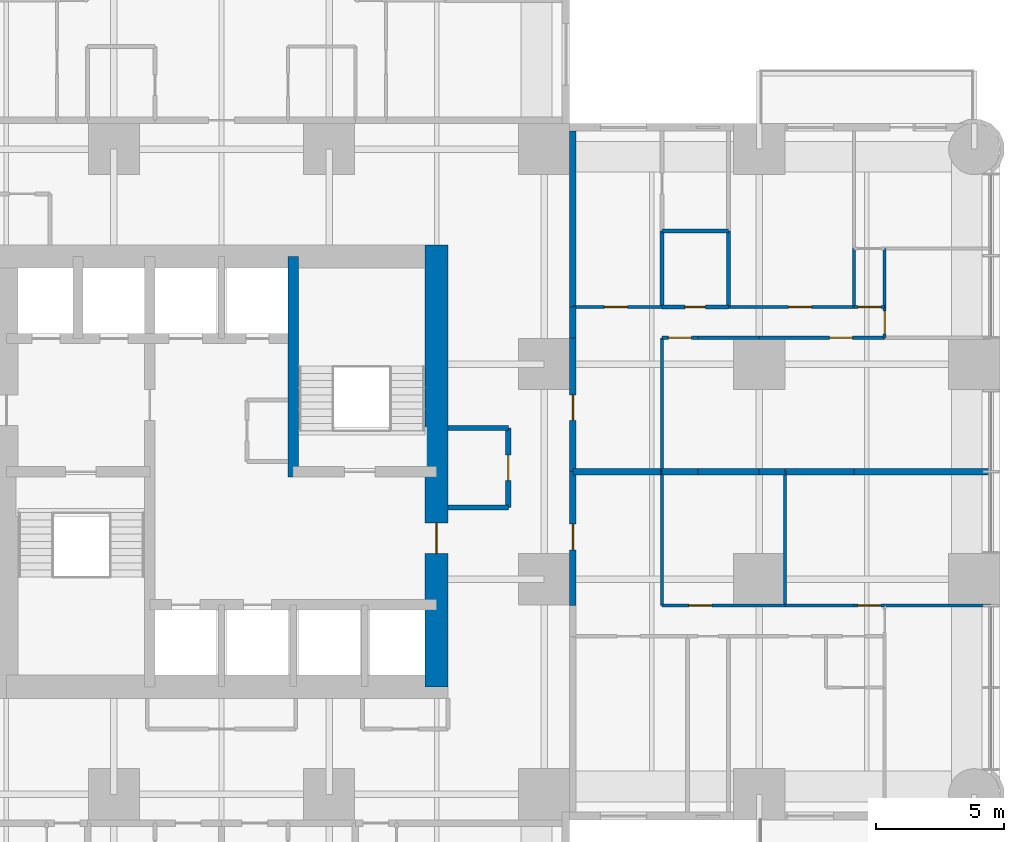
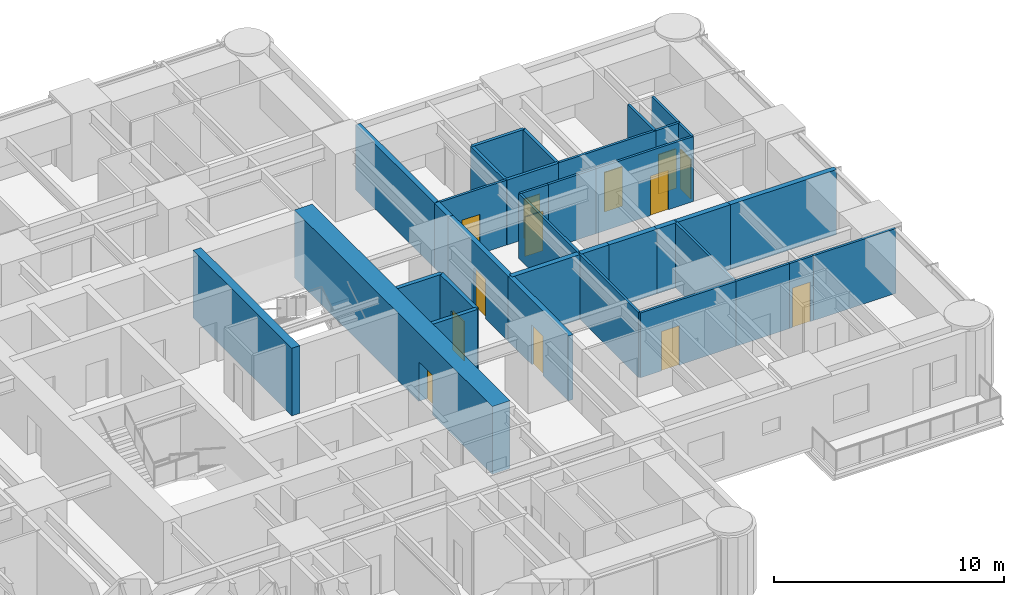
# One storey, part 10 of 14: 35 walls, 13 doors, 13 openings.
"""IFC4 building model written with IfcOpenShell, lengths in metres."""

from ifc_helpers import new_model, si_unit, direction, frame, frame_2d, origin, place, context, subcontext, project, spatial, rectangle, extrude, material, layer, layer_set, type_object, element, fill, save


model = new_model("IFC4")

# Units and contexts
model_context = context("Model", 3, precision=1e-05, world=origin(), true_north=direction((0.0, 1.0)))
body_context = subcontext(model_context, "Body", "Model", "MODEL_VIEW")
ifc_project = project(units=[si_unit("LENGTHUNIT", "METRE"), si_unit("AREAUNIT", "SQUARE_METRE"), si_unit("VOLUMEUNIT", "CUBIC_METRE"), si_unit("PLANEANGLEUNIT", "RADIAN"), si_unit("MASSUNIT", "GRAM", prefix="KILO")], contexts=[model_context])

# Site, building, storey
site_placement = place(None, origin())
site = spatial("IfcSite", under=ifc_project, at=site_placement, CompositionType="ELEMENT")
building_placement = place(site_placement, origin())
building = spatial("IfcBuilding", under=site, at=building_placement, Name="Torre Alcanfor", CompositionType="ELEMENT")
storey_placement = place(building_placement, frame((0.0, 0.0, 112.5)))
storey = spatial("IfcBuildingStorey", under=building, at=storey_placement, Name="L28", CompositionType="ELEMENT", Elevation=112.5)

# Wall, opening, door
ifc_material_1 = material(Name="Concrete block masonry, hollow blocks NMX-C-404 9 MPa", Category="masonry")
ifc_layer_1 = layer(ifc_material_1, 0.25)
ifc_layer_set_1 = layer_set([ifc_layer_1], Name="Apartment entrance wall 250 EI 60")
wall_type_1 = type_object("IfcWallType", Name="Apartment entrance wall 250 EI 60", PredefinedType="PARTITIONING", material=ifc_layer_set_1)
wall_1_placement = place(storey_placement, frame((43.125, 34.62890625, 0.0), z_axis=(0.0, 0.0, 1.0), x_axis=(0.0, -1.0, 0.0)))
wall_1 = element("IfcWall", 1, at=wall_1_placement, inside=storey, type_object=wall_type_1, Name="Partition L28-CORR / L28-E1-ZAG", PredefinedType="PARTITIONING", context=body_context, shape_type="SweptSolid", body=[
    extrude(rectangle(XDim=5.22900390625, YDim=0.25, at=frame_2d((2.614501953125, 0.0))), origin(), (0.0, 0.0, 1.0), 3.449951171875),
])
opening_1_placement = place(wall_1_placement, frame((2.22900390625, 0.0, 0.0)))
opening_1 = element("IfcOpeningElement", 2, at=opening_1_placement, cuts=wall_1, Name="Opening D-A1", PredefinedType="OPENING", context=body_context, shape_type="SweptSolid", body=[
    extrude(rectangle(XDim=1.0, YDim=2.10009765625, at=frame_2d((0.5, 1.050048828125))), frame((0.0, 0.135009765625, 0.0), z_axis=(0.0, -1.0, 0.0), x_axis=(1.0, 0.0, 0.0)), (0.0, 0.0, 1.0), 0.27001953125),
])
ifc_material_2 = material(Name="Galvanised steel sheet ASTM A653", Category="steel")
door_type_1 = type_object("IfcDoorType", Name="Apartment entrance door FD60 1000x2100", OperationType="SINGLE_SWING_LEFT", PredefinedType="DOOR", material=ifc_material_2)
door_1_placement = place(opening_1_placement, origin())
door_1 = element("IfcDoor", 3, at=door_1_placement, inside=storey, type_object=door_type_1, Name="Apartment entrance L28-E1", OperationType="SINGLE_SWING_RIGHT", OverallHeight=2.10009765625, OverallWidth=1.0, PredefinedType="DOOR", context=body_context, shape_type="SweptSolid", body=[
    extrude(rectangle(XDim=1.0, YDim=2.10009765625, at=frame_2d((0.5, 1.050048828125))), frame((0.0, 0.02490234375, 0.0), z_axis=(0.0, -1.0, 0.0), x_axis=(1.0, 0.0, 0.0)), (0.0, 0.0, 1.0), 0.050048828125),
])
fill(opening_1, door_1)

# Walls
wall_2_placement = place(storey_placement, frame((43.125, 35.8291015625, 0.0), z_axis=(0.0, 0.0, 1.0), x_axis=(0.0, -1.0, 0.0)))
element("IfcWall", 4, at=wall_2_placement, inside=storey, type_object=wall_type_1, Name="Partition L28-CORR / L28-E1-HALL", PredefinedType="PARTITIONING", context=body_context, shape_type="SweptSolid", body=[
    extrude(rectangle(XDim=1.2001953125, YDim=0.25, at=frame_2d((0.60009765625, 0.0))), origin(), (0.0, 0.0, 1.0), 3.449951171875),
])
wall_3_placement = place(storey_placement, frame((43.125, 42.699951171875, 0.0), z_axis=(0.0, 0.0, 1.0), x_axis=(0.0, -1.0, 0.0)))
element("IfcWall", 5, at=wall_3_placement, inside=storey, type_object=wall_type_1, Name="Partition L28-CORR / L28-E1-SERV", PredefinedType="PARTITIONING", context=body_context, shape_type="SweptSolid", body=[
    extrude(rectangle(XDim=6.870849609375, YDim=0.25, at=frame_2d((3.435546875, 0.0))), origin(), (0.0, 0.0, 1.0), 3.449951171875),
])

# Wall, opening, door
wall_4_placement = place(storey_placement, frame((43.125, 29.39990234375, 0.0), z_axis=(0.0, 0.0, 1.0), x_axis=(0.0, -1.0, 0.0)))
wall_4 = element("IfcWall", 6, at=wall_4_placement, inside=storey, type_object=wall_type_1, Name="Partition L28-CORR / L28-E2-ZAG", PredefinedType="PARTITIONING", context=body_context, shape_type="SweptSolid", body=[
    extrude(rectangle(XDim=5.22900390625, YDim=0.25, at=frame_2d((2.614501953125, 0.0))), origin(), (0.0, 0.0, 1.0), 3.449951171875),
])
opening_2_placement = place(wall_4_placement, frame((2.050048828125, 0.0, 0.0)))
opening_2 = element("IfcOpeningElement", 7, at=opening_2_placement, cuts=wall_4, Name="Opening D-A1", PredefinedType="OPENING", context=body_context, shape_type="SweptSolid", body=[
    extrude(rectangle(XDim=1.0, YDim=2.10009765625, at=frame_2d((0.5, 1.050048828125))), frame((0.0, 0.135009765625, 0.0), z_axis=(0.0, -1.0, 0.0), x_axis=(1.0, 0.0, 0.0)), (0.0, 0.0, 1.0), 0.27001953125),
])
door_2_placement = place(opening_2_placement, origin())
door_2 = element("IfcDoor", 8, at=door_2_placement, inside=storey, type_object=door_type_1, Name="Apartment entrance L28-E2", OperationType="SINGLE_SWING_LEFT", OverallHeight=2.10009765625, OverallWidth=1.0, PredefinedType="DOOR", context=body_context, shape_type="SweptSolid", body=[
    extrude(rectangle(XDim=1.0, YDim=2.10009765625, at=frame_2d((0.5, 1.050048828125))), frame((0.0, 0.02490234375, 0.0), z_axis=(0.0, -1.0, 0.0), x_axis=(1.0, 0.0, 0.0)), (0.0, 0.0, 1.0), 0.050048828125),
])
fill(opening_2, door_2)

# Wall
ifc_material_3 = material(Name="Gypsum board on steel studs", Category="steel")
ifc_layer_2 = layer(ifc_material_3, 0.1201171875)
ifc_layer_set_2 = layer_set([ifc_layer_2], Name="Apartment partition 120")
wall_type_2 = type_object("IfcWallType", Name="Apartment partition 120", PredefinedType="PARTITIONING", material=ifc_layer_set_2)
wall_5_placement = place(storey_placement, frame((46.60009765625, 29.39990234375, 0.0), z_axis=(0.0, 0.0, 1.0), x_axis=(0.0, 1.0, 0.0)))
element("IfcWall", 9, at=wall_5_placement, inside=storey, type_object=wall_type_2, Name="Partition L28-E1-ZAG / L28-E1-LAUND", PredefinedType="PARTITIONING", context=body_context, shape_type="SweptSolid", body=[
    extrude(rectangle(XDim=5.22900390625, YDim=0.1201171875, at=frame_2d((2.614501953125, 0.0))), origin(), (0.0, 0.0, 1.0), 3.449951171875),
])

# Wall, opening, door
wall_6_placement = place(storey_placement, frame((48.0, 34.62890625, 0.0), z_axis=(0.0, 0.0, 1.0), x_axis=(-1.0, 0.0, 0.0)))
wall_6 = element("IfcWall", 10, at=wall_6_placement, inside=storey, type_object=wall_type_2, Name="Partition L28-E1-LAUND / L28-E1-HALL", PredefinedType="PARTITIONING", context=body_context, shape_type="SweptSolid", body=[
    extrude(rectangle(XDim=1.39990234375, YDim=0.1201171875, at=frame_2d((0.699951171875, 0.0))), origin(), (0.0, 0.0, 1.0), 3.449951171875),
])
opening_3_placement = place(wall_6_placement, frame((0.25, 0.0, 0.0)))
opening_3 = element("IfcOpeningElement", 11, at=opening_3_placement, cuts=wall_6, Name="Opening D-R1", PredefinedType="OPENING", context=body_context, shape_type="SweptSolid", body=[
    extrude(rectangle(XDim=0.89990234375, YDim=2.10009765625, at=frame_2d((0.449951171875, 1.050048828125))), frame((0.0, 0.070068359375, 0.0), z_axis=(0.0, -1.0, 0.0), x_axis=(1.0, 0.0, 0.0)), (0.0, 0.0, 1.0), 0.14013671875),
])
ifc_material_4 = material(Name="Timber", Category="wood")
door_type_2 = type_object("IfcDoorType", Name="Internal door 900x2100", OperationType="SINGLE_SWING_LEFT", PredefinedType="DOOR", material=ifc_material_4)
door_3_placement = place(opening_3_placement, origin())
door_3 = element("IfcDoor", 12, at=door_3_placement, inside=storey, type_object=door_type_2, Name="Door L28-E1 laund", OperationType="SINGLE_SWING_LEFT", OverallHeight=2.10009765625, OverallWidth=0.89990234375, PredefinedType="DOOR", context=body_context, shape_type="SweptSolid", body=[
    extrude(rectangle(XDim=0.89990234375, YDim=2.10009765625, at=frame_2d((0.449951171875, 1.050048828125))), frame((0.0, 0.02490234375, 0.0), z_axis=(0.0, -1.0, 0.0), x_axis=(1.0, 0.0, 0.0)), (0.0, 0.0, 1.0), 0.050048828125),
])
fill(opening_3, door_3)

# Wall
wall_7_placement = place(storey_placement, frame((50.39990234375, 34.62890625, 0.0), z_axis=(0.0, 0.0, 1.0), x_axis=(-1.0, 0.0, 0.0)))
element("IfcWall", 13, at=wall_7_placement, inside=storey, type_object=wall_type_2, Name="Partition L28-E1-KITCHEN / L28-E1-HALL", PredefinedType="PARTITIONING", context=body_context, shape_type="SweptSolid", body=[
    extrude(rectangle(XDim=2.39990234375, YDim=0.1201171875, at=frame_2d((1.199951171875, 0.0))), origin(), (0.0, 0.0, 1.0), 3.449951171875),
])

# Wall, opening, door
wall_8_placement = place(storey_placement, frame((55.300048828125, 34.62890625, 0.0), z_axis=(0.0, 0.0, 1.0), x_axis=(-1.0, 0.0, 0.0)))
wall_8 = element("IfcWall", 14, at=wall_8_placement, inside=storey, type_object=wall_type_2, Name="Partition L28-E1-LIVING / L28-E1-HALL", PredefinedType="PARTITIONING", context=body_context, shape_type="SweptSolid", body=[
    extrude(rectangle(XDim=4.900146484375, YDim=0.1201171875, at=frame_2d((2.4501953125, 0.0))), origin(), (0.0, 0.0, 1.0), 3.449951171875),
])
opening_4_placement = place(wall_8_placement, frame((1.25, 0.0, 0.0)))
opening_4 = element("IfcOpeningElement", 15, at=opening_4_placement, cuts=wall_8, Name="Opening D-R1", PredefinedType="OPENING", context=body_context, shape_type="SweptSolid", body=[
    extrude(rectangle(XDim=0.89990234375, YDim=2.10009765625, at=frame_2d((0.449951171875, 1.050048828125))), frame((0.0, 0.070068359375, 0.0), z_axis=(0.0, -1.0, 0.0), x_axis=(1.0, 0.0, 0.0)), (0.0, 0.0, 1.0), 0.14013671875),
])
door_4_placement = place(opening_4_placement, origin())
door_4 = element("IfcDoor", 16, at=door_4_placement, inside=storey, type_object=door_type_2, Name="Door L28-E1 living", OperationType="SINGLE_SWING_RIGHT", OverallHeight=2.10009765625, OverallWidth=0.89990234375, PredefinedType="DOOR", context=body_context, shape_type="SweptSolid", body=[
    extrude(rectangle(XDim=0.89990234375, YDim=2.10009765625, at=frame_2d((0.449951171875, 1.050048828125))), frame((0.0, 0.02490234375, 0.0), z_axis=(0.0, -1.0, 0.0), x_axis=(1.0, 0.0, 0.0)), (0.0, 0.0, 1.0), 0.050048828125),
])
fill(opening_4, door_4)

wall_9_placement = place(storey_placement, frame((46.60009765625, 35.8291015625, 0.0), z_axis=(0.0, 0.0, 1.0), x_axis=(-1.0, 0.0, 0.0)))
wall_9 = element("IfcWall", 17, at=wall_9_placement, inside=storey, type_object=wall_type_2, Name="Partition L28-E1-HALL / L28-E1-SERV", PredefinedType="PARTITIONING", context=body_context, shape_type="SweptSolid", body=[
    extrude(rectangle(XDim=3.47509765625, YDim=0.1201171875, at=frame_2d((1.737548828125, 0.0))), origin(), (0.0, 0.0, 1.0), 3.449951171875),
])
opening_5_placement = place(wall_9_placement, frame((1.35009765625, 0.0, 0.0)))
opening_5 = element("IfcOpeningElement", 18, at=opening_5_placement, cuts=wall_9, Name="Opening D-R1", PredefinedType="OPENING", context=body_context, shape_type="SweptSolid", body=[
    extrude(rectangle(XDim=0.89990234375, YDim=2.10009765625, at=frame_2d((0.449951171875, 1.050048828125))), frame((0.0, 0.070068359375, 0.0), z_axis=(0.0, -1.0, 0.0), x_axis=(1.0, 0.0, 0.0)), (0.0, 0.0, 1.0), 0.14013671875),
])
door_5_placement = place(opening_5_placement, frame((0.89990234375, 0.0, 0.0), z_axis=(0.0, 0.0, 1.0), x_axis=(-1.0, 0.0, 0.0)))
door_5 = element("IfcDoor", 19, at=door_5_placement, inside=storey, type_object=door_type_2, Name="Door L28-E1 serv", OperationType="SINGLE_SWING_LEFT", OverallHeight=2.10009765625, OverallWidth=0.89990234375, PredefinedType="DOOR", context=body_context, shape_type="SweptSolid", body=[
    extrude(rectangle(XDim=0.89990234375, YDim=2.10009765625, at=frame_2d((0.449951171875, 1.050048828125))), frame((0.0, 0.025146484375, 0.0), z_axis=(0.0, -1.0, 0.0), x_axis=(1.0, 0.0, 0.0)), (0.0, 0.0, 1.0), 0.050048828125),
])
fill(opening_5, door_5)

wall_10_placement = place(storey_placement, frame((54.10009765625, 35.8291015625, 0.0), z_axis=(0.0, 0.0, 1.0), x_axis=(-1.0, 0.0, 0.0)))
wall_10 = element("IfcWall", 20, at=wall_10_placement, inside=storey, type_object=wall_type_2, Name="Partition L28-E1-HALL / L28-E1-BED3", PredefinedType="PARTITIONING", context=body_context, shape_type="SweptSolid", body=[
    extrude(rectangle(XDim=4.900146484375, YDim=0.1201171875, at=frame_2d((2.4501953125, 0.0))), origin(), (0.0, 0.0, 1.0), 3.449951171875),
])
opening_6_placement = place(wall_10_placement, frame((1.64990234375, 0.0, 0.0)))
opening_6 = element("IfcOpeningElement", 21, at=opening_6_placement, cuts=wall_10, Name="Opening D-R1", PredefinedType="OPENING", context=body_context, shape_type="SweptSolid", body=[
    extrude(rectangle(XDim=0.89990234375, YDim=2.10009765625, at=frame_2d((0.449951171875, 1.050048828125))), frame((0.0, 0.070068359375, 0.0), z_axis=(0.0, -1.0, 0.0), x_axis=(1.0, 0.0, 0.0)), (0.0, 0.0, 1.0), 0.14013671875),
])
door_6_placement = place(opening_6_placement, frame((0.89990234375, 0.0, 0.0), z_axis=(0.0, 0.0, 1.0), x_axis=(-1.0, 0.0, 0.0)))
door_6 = element("IfcDoor", 22, at=door_6_placement, inside=storey, type_object=door_type_2, Name="Door L28-E1 bed3", OperationType="SINGLE_SWING_RIGHT", OverallHeight=2.10009765625, OverallWidth=0.89990234375, PredefinedType="DOOR", context=body_context, shape_type="SweptSolid", body=[
    extrude(rectangle(XDim=0.89990234375, YDim=2.10009765625, at=frame_2d((0.449951171875, 1.050048828125))), frame((0.0, 0.025146484375, 0.0), z_axis=(0.0, -1.0, 0.0), x_axis=(1.0, 0.0, 0.0)), (0.0, 0.0, 1.0), 0.050048828125),
])
fill(opening_6, door_6)

wall_11_placement = place(storey_placement, frame((55.300048828125, 35.8291015625, 0.0), z_axis=(0.0, 0.0, 1.0), x_axis=(-1.0, 0.0, 0.0)))
wall_11 = element("IfcWall", 23, at=wall_11_placement, inside=storey, type_object=wall_type_2, Name="Partition L28-E1-HALL / L28-E1-VEST", PredefinedType="PARTITIONING", context=body_context, shape_type="SweptSolid", body=[
    extrude(rectangle(XDim=1.199951171875, YDim=0.1201171875, at=frame_2d((0.60009765625, 0.0))), origin(), (0.0, 0.0, 1.0), 3.449951171875),
])
opening_7_placement = place(wall_11_placement, frame((0.14990234375, 0.0, 0.0)))
opening_7 = element("IfcOpeningElement", 24, at=opening_7_placement, cuts=wall_11, Name="Opening D-R1", PredefinedType="OPENING", context=body_context, shape_type="SweptSolid", body=[
    extrude(rectangle(XDim=0.89990234375, YDim=2.10009765625, at=frame_2d((0.449951171875, 1.050048828125))), frame((0.0, 0.070068359375, 0.0), z_axis=(0.0, -1.0, 0.0), x_axis=(1.0, 0.0, 0.0)), (0.0, 0.0, 1.0), 0.14013671875),
])
door_7_placement = place(opening_7_placement, frame((0.89990234375, 0.0, 0.0), z_axis=(0.0, 0.0, 1.0), x_axis=(-1.0, 0.0, 0.0)))
door_7 = element("IfcDoor", 25, at=door_7_placement, inside=storey, type_object=door_type_2, Name="Door L28-E1 vest", OperationType="SINGLE_SWING_RIGHT", OverallHeight=2.10009765625, OverallWidth=0.89990234375, PredefinedType="DOOR", context=body_context, shape_type="SweptSolid", body=[
    extrude(rectangle(XDim=0.89990234375, YDim=2.10009765625, at=frame_2d((0.449951171875, 1.050048828125))), frame((0.0, 0.025146484375, 0.0), z_axis=(0.0, -1.0, 0.0), x_axis=(1.0, 0.0, 0.0)), (0.0, 0.0, 1.0), 0.050048828125),
])
fill(opening_7, door_7)

wall_12_placement = place(storey_placement, frame((55.300048828125, 34.62890625, 0.0), z_axis=(0.0, 0.0, 1.0), x_axis=(0.0, 1.0, 0.0)))
wall_12 = element("IfcWall", 26, at=wall_12_placement, inside=storey, type_object=wall_type_2, Name="Partition L28-E1-HALL / L28-E1-BED2", PredefinedType="PARTITIONING", context=body_context, shape_type="SweptSolid", body=[
    extrude(rectangle(XDim=1.2001953125, YDim=0.1201171875, at=frame_2d((0.60009765625, 0.0))), origin(), (0.0, 0.0, 1.0), 3.449951171875),
])
opening_8_placement = place(wall_12_placement, frame((0.15087890625, 0.0, 0.0)))
opening_8 = element("IfcOpeningElement", 27, at=opening_8_placement, cuts=wall_12, Name="Opening D-R1", PredefinedType="OPENING", context=body_context, shape_type="SweptSolid", body=[
    extrude(rectangle(XDim=0.89990234375, YDim=2.10009765625, at=frame_2d((0.449951171875, 1.050048828125))), frame((0.0, 0.070068359375, 0.0), z_axis=(0.0, -1.0, 0.0), x_axis=(1.0, 0.0, 0.0)), (0.0, 0.0, 1.0), 0.14013671875),
])
door_8_placement = place(opening_8_placement, frame((0.89990234375, 0.0, 0.0), z_axis=(0.0, 0.0, 1.0), x_axis=(-1.0, 0.0, 0.0)))
door_8 = element("IfcDoor", 28, at=door_8_placement, inside=storey, type_object=door_type_2, Name="Door L28-E1 bed2", OperationType="SINGLE_SWING_RIGHT", OverallHeight=2.10009765625, OverallWidth=0.89990234375, PredefinedType="DOOR", context=body_context, shape_type="SweptSolid", body=[
    extrude(rectangle(XDim=0.89990234375, YDim=2.10009765625, at=frame_2d((0.449951171875, 1.050048828125))), frame((0.0, 0.025146484375, 0.0), z_axis=(0.0, -1.0, 0.0), x_axis=(1.0, 0.0, 0.0)), (0.0, 0.0, 1.0), 0.050048828125),
])
fill(opening_8, door_8)

# Walls
for number, where, z_axis, x_axis, name in (
    (29, (54.10009765625, 35.8291015625, 0.0), (0.0, 0.0, 1.0), (0.0, 1.0, 0.0), "Partition L28-E1-BED3 / L28-E1-VEST"),
    (30, (55.300048828125, 35.8291015625, 0.0), (0.0, 0.0, 1.0), (0.0, 1.0, 0.0), "Partition L28-E1-VEST / L28-E1-BED2"),
):
    element("IfcWall", number, at=place(storey_placement, frame(where, z_axis=z_axis, x_axis=x_axis)), inside=storey, type_object=wall_type_2, Name=name, PredefinedType="PARTITIONING", context=body_context, shape_type="SweptSolid", body=[
        extrude(rectangle(XDim=2.284912109375, YDim=0.1201171875, at=frame_2d((1.142578125, 0.0))), origin(), (0.0, 0.0, 1.0), 3.449951171875),
    ])
for number, where, z_axis, x_axis, name in (
    (31, (46.60009765625, 29.39990234375, 0.0), (0.0, 0.0, 1.0), (0.0, -1.0, 0.0), "Partition L28-E2-ZAG / L28-E2-FAMILY"),
    (32, (51.39990234375, 29.39990234375, 0.0), (0.0, 0.0, 1.0), (0.0, -1.0, 0.0), "Partition L28-E2-FAMILY / L28-E2-KITCHEN"),
):
    element("IfcWall", number, at=place(storey_placement, frame(where, z_axis=z_axis, x_axis=x_axis)), inside=storey, type_object=wall_type_2, Name=name, PredefinedType="PARTITIONING", context=body_context, shape_type="SweptSolid", body=[
        extrude(rectangle(XDim=5.22900390625, YDim=0.1201171875, at=frame_2d((2.614501953125, 0.0))), origin(), (0.0, 0.0, 1.0), 3.449951171875),
    ])

# Wall, opening, door
wall_13_placement = place(storey_placement, frame((51.39990234375, 24.1708984375, 0.0), z_axis=(0.0, 0.0, 1.0), x_axis=(-1.0, 0.0, 0.0)))
wall_13 = element("IfcWall", 33, at=wall_13_placement, inside=storey, type_object=wall_type_2, Name="Partition L28-E2-FAMILY / L28-E2-HALL", PredefinedType="PARTITIONING", context=body_context, shape_type="SweptSolid", body=[
    extrude(rectangle(XDim=4.7998046875, YDim=0.1201171875, at=frame_2d((2.39990234375, 0.0))), origin(), (0.0, 0.0, 1.0), 3.449951171875),
])
opening_9_placement = place(wall_13_placement, frame((2.85009765625, 0.0, 0.0)))
opening_9 = element("IfcOpeningElement", 34, at=opening_9_placement, cuts=wall_13, Name="Opening D-R1", PredefinedType="OPENING", context=body_context, shape_type="SweptSolid", body=[
    extrude(rectangle(XDim=0.89990234375, YDim=2.10009765625, at=frame_2d((0.449951171875, 1.050048828125))), frame((0.0, 0.070068359375, 0.0), z_axis=(0.0, -1.0, 0.0), x_axis=(1.0, 0.0, 0.0)), (0.0, 0.0, 1.0), 0.14013671875),
])
door_9_placement = place(opening_9_placement, frame((0.89990234375, 0.0, 0.0), z_axis=(0.0, 0.0, 1.0), x_axis=(-1.0, 0.0, 0.0)))
door_9 = element("IfcDoor", 35, at=door_9_placement, inside=storey, type_object=door_type_2, Name="Door L28-E2 family", OperationType="SINGLE_SWING_LEFT", OverallHeight=2.10009765625, OverallWidth=0.89990234375, PredefinedType="DOOR", context=body_context, shape_type="SweptSolid", body=[
    extrude(rectangle(XDim=0.89990234375, YDim=2.10009765625, at=frame_2d((0.449951171875, 1.050048828125))), frame((0.0, 0.025146484375, 0.0), z_axis=(0.0, -1.0, 0.0), x_axis=(1.0, 0.0, 0.0)), (0.0, 0.0, 1.0), 0.050048828125),
])
fill(opening_9, door_9)

# Wall
wall_14_placement = place(storey_placement, frame((54.10009765625, 24.1708984375, 0.0), z_axis=(0.0, 0.0, 1.0), x_axis=(-1.0, 0.0, 0.0)))
element("IfcWall", 36, at=wall_14_placement, inside=storey, type_object=wall_type_2, Name="Partition L28-E2-KITCHEN / L28-E2-HALL", PredefinedType="PARTITIONING", context=body_context, shape_type="SweptSolid", body=[
    extrude(rectangle(XDim=2.7001953125, YDim=0.1201171875, at=frame_2d((1.35009765625, 0.0))), origin(), (0.0, 0.0, 1.0), 3.449951171875),
])

# Wall, opening, door
wall_15_placement = place(storey_placement, frame((55.300048828125, 24.1708984375, 0.0), z_axis=(0.0, 0.0, 1.0), x_axis=(-1.0, 0.0, 0.0)))
wall_15 = element("IfcWall", 37, at=wall_15_placement, inside=storey, type_object=wall_type_2, Name="Partition L28-E2-LIVING / L28-E2-HALL", PredefinedType="PARTITIONING", context=body_context, shape_type="SweptSolid", body=[
    extrude(rectangle(XDim=1.199951171875, YDim=0.1201171875, at=frame_2d((0.60009765625, 0.0))), origin(), (0.0, 0.0, 1.0), 3.449951171875),
])
opening_10_placement = place(wall_15_placement, frame((0.14990234375, 0.0, 0.0)))
opening_10 = element("IfcOpeningElement", 38, at=opening_10_placement, cuts=wall_15, Name="Opening D-R1", PredefinedType="OPENING", context=body_context, shape_type="SweptSolid", body=[
    extrude(rectangle(XDim=0.89990234375, YDim=2.10009765625, at=frame_2d((0.449951171875, 1.050048828125))), frame((0.0, 0.070068359375, 0.0), z_axis=(0.0, -1.0, 0.0), x_axis=(1.0, 0.0, 0.0)), (0.0, 0.0, 1.0), 0.14013671875),
])
door_10_placement = place(opening_10_placement, frame((0.89990234375, 0.0, 0.0), z_axis=(0.0, 0.0, 1.0), x_axis=(-1.0, 0.0, 0.0)))
door_10 = element("IfcDoor", 39, at=door_10_placement, inside=storey, type_object=door_type_2, Name="Door L28-E2 living", OperationType="SINGLE_SWING_LEFT", OverallHeight=2.10009765625, OverallWidth=0.89990234375, PredefinedType="DOOR", context=body_context, shape_type="SweptSolid", body=[
    extrude(rectangle(XDim=0.89990234375, YDim=2.10009765625, at=frame_2d((0.449951171875, 1.050048828125))), frame((0.0, 0.025146484375, 0.0), z_axis=(0.0, -1.0, 0.0), x_axis=(1.0, 0.0, 0.0)), (0.0, 0.0, 1.0), 0.050048828125),
])
fill(opening_10, door_10)

# Walls
wall_16_placement = place(storey_placement, frame((59.449951171875, 24.1708984375, 0.0), z_axis=(0.0, 0.0, 1.0), x_axis=(-1.0, 0.0, 0.0)))
element("IfcWall", 40, at=wall_16_placement, inside=storey, type_object=wall_type_2, Name="Partition L28-E2-LIVING / L28-E2-WGARD", PredefinedType="PARTITIONING", context=body_context, shape_type="SweptSolid", body=[
    extrude(rectangle(XDim=4.14990234375, YDim=0.1201171875, at=frame_2d((2.074951171875, 0.0))), origin(), (0.0, 0.0, 1.0), 3.449951171875),
])
ifc_material_5 = material(Name="Concrete f'c 70 MPa", Category="concrete")
ifc_layer_3 = layer(ifc_material_5, 0.39990234375)
ifc_layer_set_3 = layer_set([ifc_layer_3], Name="Core inner wall 400 f'c70")
wall_type_3 = type_object("IfcWallType", Name="Core inner wall 400 f'c70", PredefinedType="SHEAR", material=ifc_layer_set_3)
wall_17_placement = place(storey_placement, frame((32.199951171875, 29.199951171875, 0.0), z_axis=(0.0, 0.0, 1.0), x_axis=(0.0, 1.0, 0.0)))
element("IfcWall", 41, at=wall_17_placement, inside=storey, type_object=wall_type_3, Name="Core wall X322N L28", PredefinedType="SHEAR", context=body_context, shape_type="SweptSolid", body=[
    extrude(rectangle(XDim=8.60009765625, YDim=0.39990234375, at=frame_2d((4.300048828125, 0.0))), origin(), (0.0, 0.0, 1.0), 3.60009765625),
])

# Wall, opening, door
ifc_material_6 = material(Name="Concrete f'c 70 MPa", Category="concrete")
ifc_layer_4 = layer(ifc_material_6, 0.89990234375)
ifc_layer_set_4 = layer_set([ifc_layer_4], Name="Core wall 900 f'c70")
wall_type_4 = type_object("IfcWallType", Name="Core wall 900 f'c70", PredefinedType="SHEAR", material=ifc_layer_set_4)
wall_18_placement = place(storey_placement, frame((37.800048828125, 21.0, 0.0), z_axis=(0.0, 0.0, 1.0), x_axis=(0.0, 1.0, 0.0)))
wall_18 = element("IfcWall", 42, at=wall_18_placement, inside=storey, type_object=wall_type_4, Name="Core wall OUT-E L28", PredefinedType="SHEAR", context=body_context, shape_type="SweptSolid", body=[
    extrude(rectangle(XDim=17.25, YDim=0.89990234375, at=frame_2d((8.625, 0.0))), origin(), (0.0, 0.0, 1.0), 3.60009765625),
])
opening_11_placement = place(wall_18_placement, frame((5.199951171875, 0.0, 0.0)))
opening_11 = element("IfcOpeningElement", 43, at=opening_11_placement, cuts=wall_18, Name="Opening D-L1", PredefinedType="OPENING", context=body_context, shape_type="SweptSolid", body=[
    extrude(rectangle(XDim=1.199951171875, YDim=2.10009765625, at=frame_2d((0.60009765625, 1.050048828125))), frame((0.0, 0.4599609375, 0.0), z_axis=(0.0, -1.0, 0.0), x_axis=(1.0, 0.0, 0.0)), (0.0, 0.0, 1.0), 0.919921875),
])
ifc_material_7 = material(Name="Galvanised steel sheet ASTM A653", Category="steel")
door_type_3 = type_object("IfcDoorType", Name="Lobby door FD120 1200x2100", OperationType="SINGLE_SWING_LEFT", PredefinedType="DOOR", material=ifc_material_7)
door_11_placement = place(opening_11_placement, origin())
door_11 = element("IfcDoor", 44, at=door_11_placement, inside=storey, type_object=door_type_3, Name="Lift lobby entrance door L28", OperationType="SINGLE_SWING_LEFT", OverallHeight=2.10009765625, OverallWidth=1.199951171875, PredefinedType="DOOR", context=body_context, shape_type="SweptSolid", body=[
    extrude(rectangle(XDim=1.199951171875, YDim=2.10009765625, at=frame_2d((0.60009765625, 1.050048828125))), frame((0.0, 0.02490234375, 0.0), z_axis=(0.0, -1.0, 0.0), x_axis=(1.0, 0.0, 0.0)), (0.0, 0.0, 1.0), 0.050048828125),
])
fill(opening_11, door_11)

# Walls
ifc_material_8 = material(Name="Concrete block masonry, hollow blocks NMX-C-404 9 MPa", Category="masonry")
ifc_layer_5 = layer(ifc_material_8, 0.25)
ifc_layer_set_5 = layer_set([ifc_layer_5], Name="Party wall 250 EI 60")
wall_type_5 = type_object("IfcWallType", Name="Party wall 250 EI 60", PredefinedType="PARTITIONING", material=ifc_layer_set_5)
wall_19_placement = place(storey_placement, frame((43.125, 29.39990234375, 0.0), z_axis=(0.0, 0.0, 1.0), x_axis=(1.0, 0.0, 0.0)))
element("IfcWall", 45, at=wall_19_placement, inside=storey, type_object=wall_type_5, Name="Partition L28-E1-ZAG / L28-E2-ZAG", PredefinedType="PARTITIONING", context=body_context, shape_type="SweptSolid", body=[
    extrude(rectangle(XDim=3.47509765625, YDim=0.25, at=frame_2d((1.737548828125, 0.0))), origin(), (0.0, 0.0, 1.0), 3.449951171875),
])
wall_20_placement = place(storey_placement, frame((46.60009765625, 29.39990234375, 0.0), z_axis=(0.0, 0.0, 1.0), x_axis=(1.0, 0.0, 0.0)))
element("IfcWall", 46, at=wall_20_placement, inside=storey, type_object=wall_type_5, Name="Partition L28-E1-LAUND / L28-E2-FAMILY", PredefinedType="PARTITIONING", context=body_context, shape_type="SweptSolid", body=[
    extrude(rectangle(XDim=1.39990234375, YDim=0.25, at=frame_2d((0.699951171875, 0.0))), origin(), (0.0, 0.0, 1.0), 3.449951171875),
])
wall_21_placement = place(storey_placement, frame((48.0, 29.39990234375, 0.0), z_axis=(0.0, 0.0, 1.0), x_axis=(1.0, 0.0, 0.0)))
element("IfcWall", 47, at=wall_21_placement, inside=storey, type_object=wall_type_5, Name="Partition L28-E1-KITCHEN / L28-E2-FAMILY", PredefinedType="PARTITIONING", context=body_context, shape_type="SweptSolid", body=[
    extrude(rectangle(XDim=2.39990234375, YDim=0.25, at=frame_2d((1.199951171875, 0.0))), origin(), (0.0, 0.0, 1.0), 3.449951171875),
])
wall_22_placement = place(storey_placement, frame((50.39990234375, 29.39990234375, 0.0), z_axis=(0.0, 0.0, 1.0), x_axis=(1.0, 0.0, 0.0)))
element("IfcWall", 48, at=wall_22_placement, inside=storey, type_object=wall_type_5, Name="Partition L28-E1-LIVING / L28-E2-FAMILY", PredefinedType="PARTITIONING", context=body_context, shape_type="SweptSolid", body=[
    extrude(rectangle(XDim=1.0, YDim=0.25, at=frame_2d((0.5, 0.0))), origin(), (0.0, 0.0, 1.0), 3.449951171875),
])
wall_23_placement = place(storey_placement, frame((51.39990234375, 29.39990234375, 0.0), z_axis=(0.0, 0.0, 1.0), x_axis=(1.0, 0.0, 0.0)))
element("IfcWall", 49, at=wall_23_placement, inside=storey, type_object=wall_type_5, Name="Partition L28-E1-LIVING / L28-E2-KITCHEN", PredefinedType="PARTITIONING", context=body_context, shape_type="SweptSolid", body=[
    extrude(rectangle(XDim=2.7001953125, YDim=0.25, at=frame_2d((1.35009765625, 0.0))), origin(), (0.0, 0.0, 1.0), 3.449951171875),
])
wall_24_placement = place(storey_placement, frame((54.10009765625, 29.39990234375, 0.0), z_axis=(0.0, 0.0, 1.0), x_axis=(1.0, 0.0, 0.0)))
element("IfcWall", 50, at=wall_24_placement, inside=storey, type_object=wall_type_5, Name="Partition L28-E1-LIVING / L28-E2-LIVING", PredefinedType="PARTITIONING", context=body_context, shape_type="SweptSolid", body=[
    extrude(rectangle(XDim=5.349853515625, YDim=0.25, at=frame_2d((2.6748046875, 0.0))), origin(), (0.0, 0.0, 1.0), 3.449951171875),
])
ifc_material_9 = material(Name="Concrete block masonry, hollow blocks NMX-C-404 9 MPa", Category="masonry")
ifc_layer_6 = layer(ifc_material_9, 0.199951171875)
ifc_layer_set_6 = layer_set([ifc_layer_6], Name="Plant room wall 200 EI 60")
wall_type_6 = type_object("IfcWallType", Name="Plant room wall 200 EI 60", PredefinedType="PARTITIONING", material=ifc_layer_set_6)
wall_25_placement = place(storey_placement, frame((38.25, 28.0, 0.0), z_axis=(0.0, 0.0, 1.0), x_axis=(1.0, 0.0, 0.0)))
element("IfcWall", 51, at=wall_25_placement, inside=storey, type_object=wall_type_6, Name="Partition L28-CORR / L28-G02", PredefinedType="PARTITIONING", context=body_context, shape_type="SweptSolid", body=[
    extrude(rectangle(XDim=2.35009765625, YDim=0.199951171875, at=frame_2d((1.175048828125, 0.0))), origin(), (0.0, 0.0, 1.0), 3.449951171875),
])

# Wall, opening, door
wall_26_placement = place(storey_placement, frame((40.60009765625, 28.0, 0.0), z_axis=(0.0, 0.0, 1.0), x_axis=(0.0, 1.0, 0.0)))
wall_26 = element("IfcWall", 52, at=wall_26_placement, inside=storey, type_object=wall_type_6, Name="Partition L28-CORR / L28-G02", PredefinedType="PARTITIONING", context=body_context, shape_type="SweptSolid", body=[
    extrude(rectangle(XDim=3.10009765625, YDim=0.199951171875, at=frame_2d((1.550048828125, 0.0))), origin(), (0.0, 0.0, 1.0), 3.449951171875),
])
opening_12_placement = place(wall_26_placement, frame((1.050048828125, 0.0, 0.0)))
opening_12 = element("IfcOpeningElement", 53, at=opening_12_placement, cuts=wall_26, Name="Opening D-K1", PredefinedType="OPENING", context=body_context, shape_type="SweptSolid", body=[
    extrude(rectangle(XDim=1.0, YDim=2.10009765625, at=frame_2d((0.5, 1.050048828125))), frame((0.0, 0.10986328125, 0.0), z_axis=(0.0, -1.0, 0.0), x_axis=(1.0, 0.0, 0.0)), (0.0, 0.0, 1.0), 0.219970703125),
])
ifc_material_10 = material(Name="Galvanised steel sheet ASTM A653", Category="steel")
door_type_4 = type_object("IfcDoorType", Name="Core room door FD60 1000x2100", OperationType="SINGLE_SWING_LEFT", PredefinedType="DOOR", material=ifc_material_10)
door_12_placement = place(opening_12_placement, origin())
door_12 = element("IfcDoor", 54, at=door_12_placement, inside=storey, type_object=door_type_4, Name="Door L28-G02 refuse and recycling store", OperationType="SINGLE_SWING_LEFT", OverallHeight=2.10009765625, OverallWidth=1.0, PredefinedType="DOOR", context=body_context, shape_type="SweptSolid", body=[
    extrude(rectangle(XDim=1.0, YDim=2.10009765625, at=frame_2d((0.5, 1.050048828125))), frame((0.0, 0.02490234375, 0.0), z_axis=(0.0, -1.0, 0.0), x_axis=(1.0, 0.0, 0.0)), (0.0, 0.0, 1.0), 0.050048828125),
])
fill(opening_12, door_12)

# Wall
wall_27_placement = place(storey_placement, frame((40.60009765625, 31.10009765625, 0.0), z_axis=(0.0, 0.0, 1.0), x_axis=(-1.0, 0.0, 0.0)))
element("IfcWall", 55, at=wall_27_placement, inside=storey, type_object=wall_type_6, Name="Partition L28-CORR / L28-G02", PredefinedType="PARTITIONING", context=body_context, shape_type="SweptSolid", body=[
    extrude(rectangle(XDim=2.35009765625, YDim=0.199951171875, at=frame_2d((1.175048828125, 0.0))), origin(), (0.0, 0.0, 1.0), 3.449951171875),
])

# Wall, opening, door
ifc_material_11 = material(Name="Cement board on steel studs", Category="steel")
ifc_layer_7 = layer(ifc_material_11, 0.14990234375)
ifc_layer_set_7 = layer_set([ifc_layer_7], Name="Wet area partition 150")
wall_type_7 = type_object("IfcWallType", Name="Wet area partition 150", PredefinedType="PARTITIONING", material=ifc_layer_set_7)
wall_28_placement = place(storey_placement, frame((49.199951171875, 35.8291015625, 0.0), z_axis=(0.0, 0.0, 1.0), x_axis=(-1.0, 0.0, 0.0)))
wall_28 = element("IfcWall", 56, at=wall_28_placement, inside=storey, type_object=wall_type_7, Name="Partition L28-E1-HALL / L28-E1-BATH1", PredefinedType="PARTITIONING", context=body_context, shape_type="SweptSolid", body=[
    extrude(rectangle(XDim=2.599853515625, YDim=0.14990234375, at=frame_2d((1.2998046875, 0.0))), origin(), (0.0, 0.0, 1.0), 3.449951171875),
])
opening_13_placement = place(wall_28_placement, frame((0.89990234375, 0.0, 0.0)))
opening_13 = element("IfcOpeningElement", 57, at=opening_13_placement, cuts=wall_28, Name="Opening D-R2", PredefinedType="OPENING", context=body_context, shape_type="SweptSolid", body=[
    extrude(rectangle(XDim=0.800048828125, YDim=2.10009765625, at=frame_2d((0.39990234375, 1.050048828125))), frame((0.0, 0.0849609375, 0.0), z_axis=(0.0, -1.0, 0.0), x_axis=(1.0, 0.0, 0.0)), (0.0, 0.0, 1.0), 0.169921875),
])
ifc_material_12 = material(Name="Timber", Category="wood")
door_type_5 = type_object("IfcDoorType", Name="Bathroom door 800x2100", OperationType="SINGLE_SWING_LEFT", PredefinedType="DOOR", material=ifc_material_12)
door_13_placement = place(opening_13_placement, frame((0.800048828125, 0.0, 0.0), z_axis=(0.0, 0.0, 1.0), x_axis=(-1.0, 0.0, 0.0)))
door_13 = element("IfcDoor", 58, at=door_13_placement, inside=storey, type_object=door_type_5, Name="Door L28-E1 bath1", OperationType="SINGLE_SWING_RIGHT", OverallHeight=2.10009765625, OverallWidth=0.800048828125, PredefinedType="DOOR", context=body_context, shape_type="SweptSolid", body=[
    extrude(rectangle(XDim=0.800048828125, YDim=2.10009765625, at=frame_2d((0.400146484375, 1.050048828125))), frame((0.0, 0.025146484375, 0.0), z_axis=(0.0, -1.0, 0.0), x_axis=(1.0, 0.0, 0.0)), (0.0, 0.0, 1.0), 0.050048828125),
])
fill(opening_13, door_13)

# Walls
wall_29_placement = place(storey_placement, frame((46.60009765625, 35.8291015625, 0.0), z_axis=(0.0, 0.0, 1.0), x_axis=(0.0, 1.0, 0.0)))
element("IfcWall", 59, at=wall_29_placement, inside=storey, type_object=wall_type_7, Name="Partition L28-E1-SERV / L28-E1-BATH1", PredefinedType="PARTITIONING", context=body_context, shape_type="SweptSolid", body=[
    extrude(rectangle(XDim=2.970947265625, YDim=0.14990234375, at=frame_2d((1.4853515625, 0.0))), origin(), (0.0, 0.0, 1.0), 3.449951171875),
])
wall_30_placement = place(storey_placement, frame((49.199951171875, 38.800048828125, 0.0), z_axis=(0.0, 0.0, 1.0), x_axis=(-1.0, 0.0, 0.0)))
element("IfcWall", 60, at=wall_30_placement, inside=storey, type_object=wall_type_7, Name="Partition L28-E1-BATH1 / L28-E1-SBATH", PredefinedType="PARTITIONING", context=body_context, shape_type="SweptSolid", body=[
    extrude(rectangle(XDim=2.599853515625, YDim=0.14990234375, at=frame_2d((1.2998046875, 0.0))), origin(), (0.0, 0.0, 1.0), 3.449951171875),
])
wall_31_placement = place(storey_placement, frame((49.199951171875, 35.8291015625, 0.0), z_axis=(0.0, 0.0, 1.0), x_axis=(0.0, 1.0, 0.0)))
element("IfcWall", 61, at=wall_31_placement, inside=storey, type_object=wall_type_7, Name="Partition L28-E1-BATH1 / L28-E1-BED3", PredefinedType="PARTITIONING", context=body_context, shape_type="SweptSolid", body=[
    extrude(rectangle(XDim=2.970947265625, YDim=0.14990234375, at=frame_2d((1.4853515625, 0.0))), origin(), (0.0, 0.0, 1.0), 3.449951171875),
])

save(model, "model.ifc")
